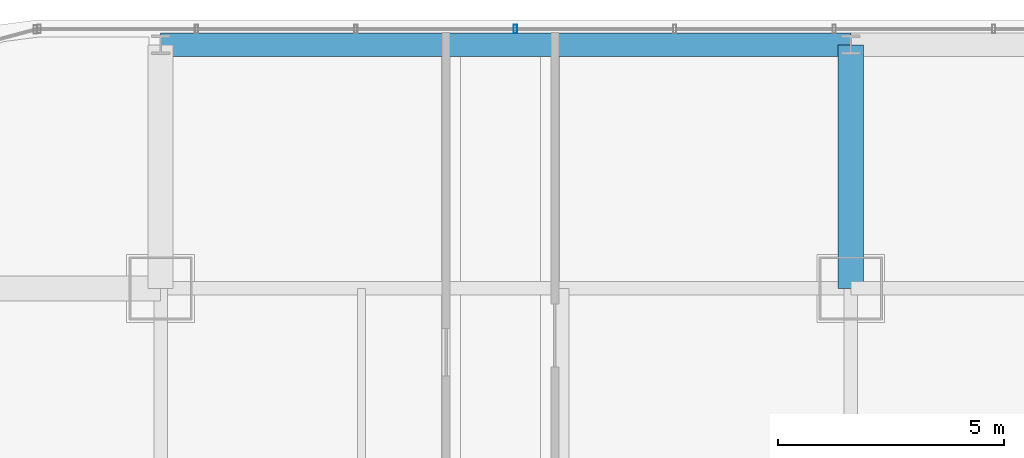
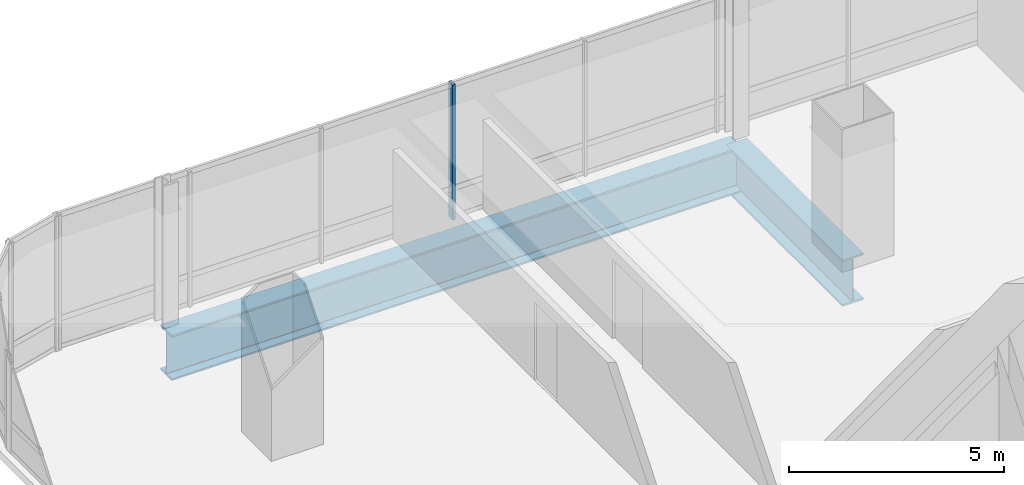
# One storey, part 22 of 38: 2 beams, 1 member, 1 element without a shape of its own.
"""IFC4 building model written with IfcOpenShell, lengths in metres."""

from ifc_helpers import new_model, si_unit, direction, frame, origin, origin_2d, place, context, subcontext, project, spatial, hollow_rectangle, i_section, extrude, material, material_profile, profile_set, type_object, element, aggregate, save


model = new_model("IFC4")

# Units and contexts
model_context = context("Model", 3, precision=1e-05, world=origin(), true_north=direction((0.0, 1.0)))
body_context = subcontext(model_context, "Body", "Model", "MODEL_VIEW")
ifc_project = project(units=[si_unit("LENGTHUNIT", "METRE"), si_unit("AREAUNIT", "SQUARE_METRE"), si_unit("VOLUMEUNIT", "CUBIC_METRE"), si_unit("PLANEANGLEUNIT", "RADIAN"), si_unit("MASSUNIT", "GRAM", prefix="KILO")], contexts=[model_context])

# Site, building, storey
site_placement = place(None, origin())
site = spatial("IfcSite", under=ifc_project, at=site_placement, CompositionType="ELEMENT")
building_placement = place(site_placement, origin())
building = spatial("IfcBuilding", under=site, at=building_placement, Name="Punatoya Terracotta Tower", CompositionType="ELEMENT")
storey_placement = place(building_placement, frame((0.0, 0.0, 160.050048828125)))
storey = spatial("IfcBuildingStorey", under=building, at=storey_placement, Name="L37", CompositionType="ELEMENT", Elevation=160.050048828125)

# Beams
ifc_material_1 = material(Name="Steel S460", Category="steel")
ifc_material_profile_1 = material_profile(ifc_material_1, i_section(OverallWidth=0.56005859375, OverallDepth=1.320068359375, WebThickness=0.035888671875, FlangeThickness=0.054931640625, FilletRadius=0.01806640625, at=origin_2d()))
ifc_profile_set_1 = profile_set([ifc_material_profile_1], Name="Steel S460")
beam_type_1 = type_object("IfcBeamType", Name="BM-TG-BLK", PredefinedType="BEAM", material=ifc_profile_set_1)
beam_1_placement = place(storey_placement, frame((-3.800048828125, 17.5, -0.880126953125), z_axis=(0.0, 1.0, 0.0), x_axis=(-1.0, 0.0, 0.0)))
element("IfcBeam", 1, at=beam_1_placement, inside=storey, type_object=beam_type_1, Name="BM-L37-CANT-N2", PredefinedType="BEAM", context=body_context, shape_type="SweptSolid", body=[
    extrude(i_section(OverallWidth=0.56005859375, OverallDepth=1.320068359375, WebThickness=0.035888671875, FlangeThickness=0.054931640625, FilletRadius=0.01806640625, at=origin_2d()), origin(), (0.0, 0.0, 1.0), 5.39990234375),
])
ifc_material_profile_2 = material_profile(ifc_material_1, i_section(OverallWidth=0.52001953125, OverallDepth=1.280029296875, WebThickness=0.031982421875, FlangeThickness=0.050048828125, FilletRadius=0.01806640625, at=origin_2d()))
ifc_profile_set_2 = profile_set([ifc_material_profile_2], Name="Steel S460")
beam_type_2 = type_object("IfcBeamType", Name="BM-TG-NCK", PredefinedType="BEAM", material=ifc_profile_set_2)
beam_2_placement = place(storey_placement, frame((-19.10009765625, 22.89990234375, -0.860107421875), z_axis=(1.0, 0.0, 0.0), x_axis=(0.0, 1.0, 0.0)))
element("IfcBeam", 2, at=beam_2_placement, inside=storey, type_object=beam_type_2, Name="BM-L37-PER-N1", PredefinedType="BEAM", context=body_context, shape_type="SweptSolid", body=[
    extrude(i_section(OverallWidth=0.52001953125, OverallDepth=1.280029296875, WebThickness=0.031982421875, FlangeThickness=0.050048828125, FilletRadius=0.01806640625, at=origin_2d()), origin(), (0.0, 0.0, 1.0), 15.300048828125),
])

# Curtain wall, member
ifc_material_2 = material(Name="Aluminium 6063-T6 + Double Low-E Glass", Category="aluminium")
curtain_wall_type = type_object("IfcCurtainWallType", Name="CW-M2", PredefinedType="NOTDEFINED", material=ifc_material_2)
curtain_wall_placement = place(storey_placement, origin())
curtain_wall = element("IfcCurtainWall", 3, at=curtain_wall_placement, inside=storey, type_object=curtain_wall_type, Name="L37 Curtain Wall CW-L37-N09-1", PredefinedType="NOTDEFINED")
ifc_material_3 = material(Name="Aluminium 6063-T6", Category="aluminium")
ifc_material_profile_3 = material_profile(ifc_material_3, hollow_rectangle(XDim=0.072021484375, YDim=0.195068359375, WallThickness=0.00439453125, at=origin_2d()))
ifc_profile_set_3 = profile_set([ifc_material_profile_3], Name="Aluminium 6063-T6")
member_type = type_object("IfcMemberType", Name="CW-MUL-M2", PredefinedType="MULLION", material=ifc_profile_set_3)
member_placement = place(storey_placement, frame((-11.235107421875, 23.25, 0.0), z_axis=(0.0, 0.0, 1.0), x_axis=(1.0, 0.0, 0.0)))
member = element("IfcMember", 4, at=member_placement, type_object=member_type, Name="CW-L37-N09-1 Mullion 08", PredefinedType="MULLION", context=body_context, shape_type="SweptSolid", body=[
    extrude(hollow_rectangle(XDim=0.072021484375, YDim=0.195068359375, WallThickness=0.00439453125, at=origin_2d()), origin(), (0.0, 0.0, 1.0), 3.829833984375),
])
aggregate(curtain_wall, [member])

save(model, "model.ifc")
